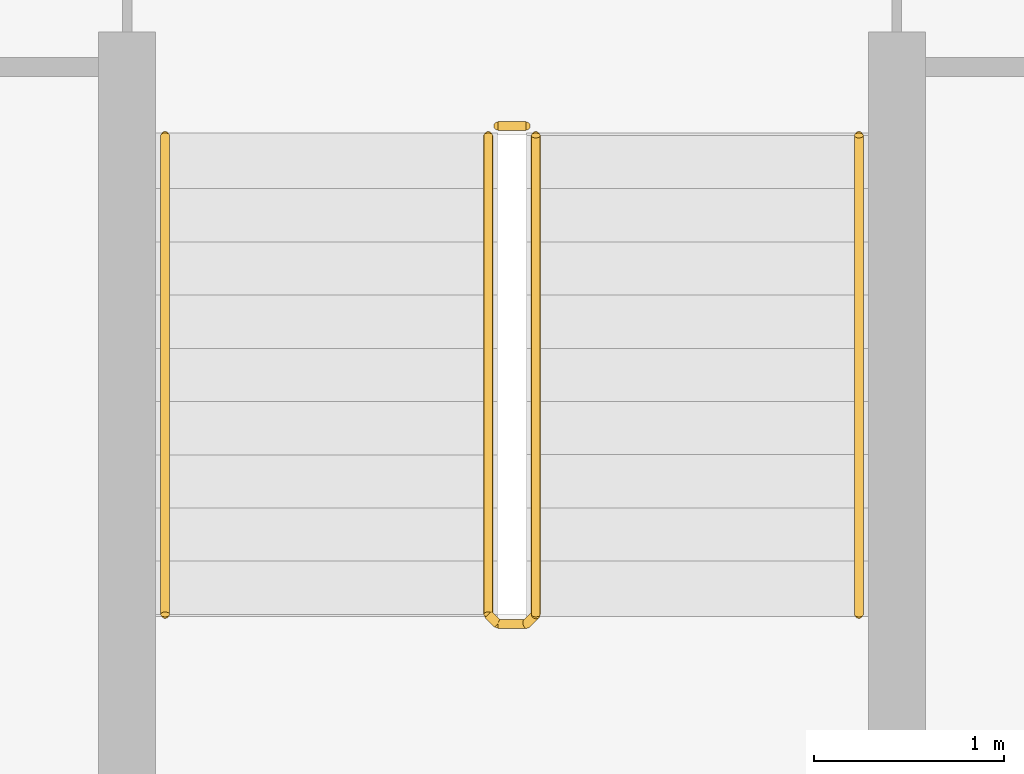
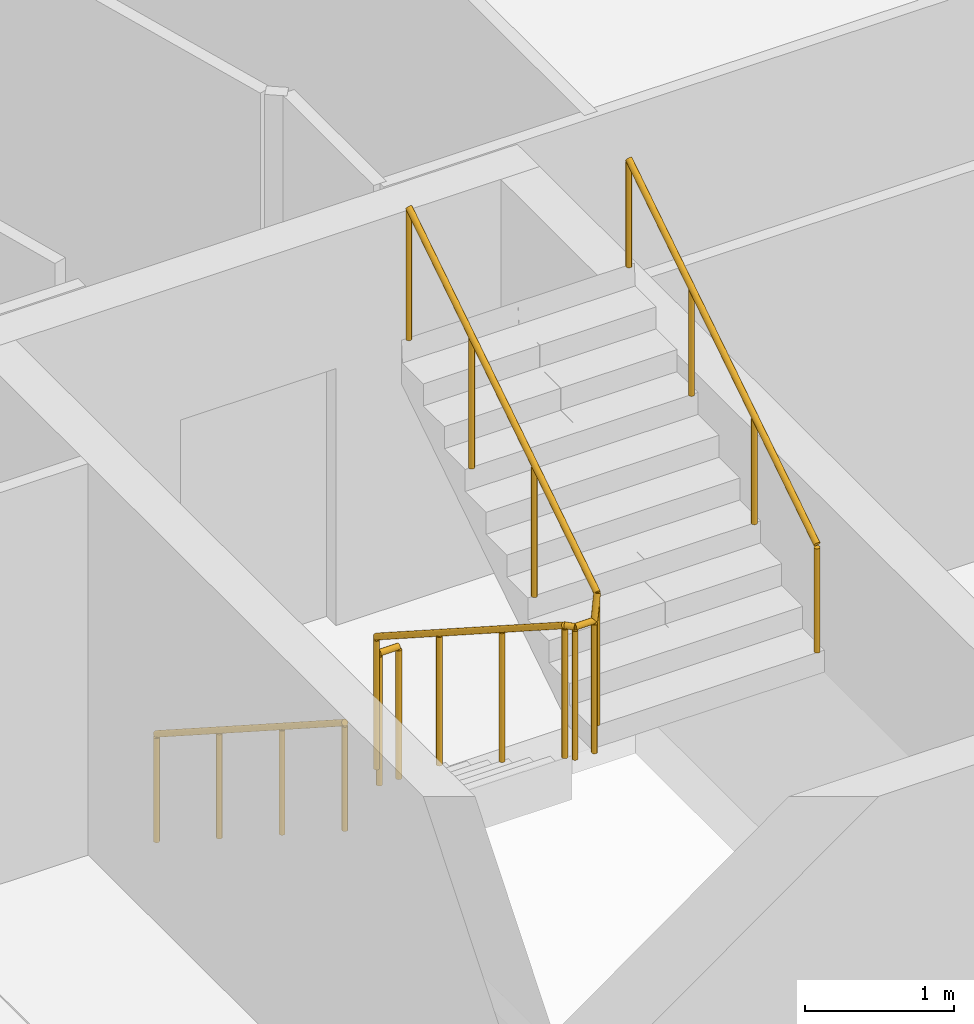
# One storey, part 26 of 28: 4 railings.
"""IFC4 building model written with IfcOpenShell, lengths in metres."""

from ifc_helpers import new_model, si_unit, direction, frame, origin, origin_2d, place, context, subcontext, project, spatial, circle, extrude, material, type_object, element, save


model = new_model("IFC4")

# Units and contexts
model_context = context("Model", 3, precision=1e-05, world=origin(), true_north=direction((0.0, 1.0)))
body_context = subcontext(model_context, "Body", "Model", "MODEL_VIEW")
ifc_project = project(units=[si_unit("LENGTHUNIT", "METRE"), si_unit("AREAUNIT", "SQUARE_METRE"), si_unit("VOLUMEUNIT", "CUBIC_METRE"), si_unit("PLANEANGLEUNIT", "RADIAN"), si_unit("MASSUNIT", "GRAM", prefix="KILO")], contexts=[model_context])

# Site, building, storey
site_placement = place(None, origin())
site = spatial("IfcSite", under=ifc_project, at=site_placement, CompositionType="ELEMENT")
building_placement = place(site_placement, origin())
building = spatial("IfcBuilding", under=site, at=building_placement, Name="Wharfspan Tower", CompositionType="ELEMENT")
storey_placement = place(building_placement, frame((0.0, 0.0, 59.5)))
storey = spatial("IfcBuildingStorey", under=building, at=storey_placement, Name="L11", CompositionType="ELEMENT", Elevation=59.5)

# Railings
ifc_material = material(Name="Steel S355J2", Category="steel")
railing_type_1 = type_object("IfcRailingType", Name="Stair guard 1100", PredefinedType="GUARDRAIL", material=ifc_material)
railing_1_placement = place(storey_placement, frame((39.258301, 3.760498, 0.179932)))
element("IfcRailing", 1, at=railing_1_placement, inside=storey, type_object=railing_type_1, Name="L11 ST4 stair guard 1", PredefinedType="GUARDRAIL", context=body_context, shape_type="SweptSolid", body=[
    extrude(circle(Radius=0.023926, at=origin_2d()), frame((0.0, 0.0, 1.076172), z_axis=(0.0, -0.841139, 0.540819), x_axis=(1.0, 0.0, 0.0)), (0.0, 0.0, 1.0), 2.995605),
    extrude(circle(Radius=0.023926, at=origin_2d()), frame((0.0, -2.519775, 2.696289), z_axis=(0.707107, -0.707107, 0.0), x_axis=(0.707107, 0.707107, 0.0)), (0.0, 0.0, 1.0), 0.070801),
    extrude(circle(Radius=0.023926, at=origin_2d()), frame((0.050049, -2.569824, 2.696289), z_axis=(1.0, 0.0, 0.0), x_axis=(0.0, 1.0, 0.0)), (0.0, 0.0, 1.0), 0.149902),
    extrude(circle(Radius=0.023926, at=origin_2d()), frame((0.199951, -2.569824, 2.696289), z_axis=(0.258848, 0.258848, 0.930589), x_axis=(-0.707107, 0.707107, 0.0)), (0.0, 0.0, 1.0), 0.193359),
    extrude(circle(Radius=0.023926, at=origin_2d()), frame((0.25, -2.519775, 2.875977), z_axis=(0.0, 0.841139, 0.540819), x_axis=(-1.0, 0.0, 0.0)), (0.0, 0.0, 1.0), 2.995605),
    extrude(circle(Radius=0.020996, at=origin_2d()), origin(), (0.0, 0.0, 1.0), 1.052002),
    extrude(circle(Radius=0.020996, at=origin_2d()), frame((0.0, -0.839844, 0.540039)), (0.0, 0.0, 1.0), 1.052002),
    extrude(circle(Radius=0.020996, at=origin_2d()), frame((0.0, -1.679932, 1.080078)), (0.0, 0.0, 1.0), 1.052002),
    extrude(circle(Radius=0.020996, at=origin_2d()), frame((0.0, -2.519775, 1.620117)), (0.0, 0.0, 1.0), 1.052002),
    extrude(circle(Radius=0.020996, at=origin_2d()), frame((0.050049, -2.569824, 1.620117)), (0.0, 0.0, 1.0), 1.052002),
    extrude(circle(Radius=0.020996, at=origin_2d()), frame((0.199951, -2.569824, 1.620117)), (0.0, 0.0, 1.0), 1.052002),
    extrude(circle(Radius=0.020996, at=origin_2d()), frame((0.25, -2.519775, 1.800049)), (0.0, 0.0, 1.0), 1.052002),
    extrude(circle(Radius=0.020996, at=origin_2d()), frame((0.25, -1.679932, 2.340088)), (0.0, 0.0, 1.0), 1.052002),
    extrude(circle(Radius=0.020996, at=origin_2d()), frame((0.25, -0.839844, 2.880127)), (0.0, 0.0, 1.0), 1.052002),
    extrude(circle(Radius=0.020996, at=origin_2d()), frame((0.25, 0.0, 3.420166)), (0.0, 0.0, 1.0), 1.052002),
])
railing_2_placement = place(storey_placement, frame((39.30835, 3.810547, 0.0)))
element("IfcRailing", 2, at=railing_2_placement, inside=storey, type_object=railing_type_1, Name="L11 ST4 stair guard 2", PredefinedType="GUARDRAIL", context=body_context, shape_type="SweptSolid", body=[
    extrude(circle(Radius=0.023926, at=origin_2d()), frame((0.0, 0.0, 1.076172), z_axis=(1.0, 0.0, 0.0), x_axis=(0.0, 1.0, 0.0)), (0.0, 0.0, 1.0), 0.149902),
    extrude(circle(Radius=0.020996, at=origin_2d()), origin(), (0.0, 0.0, 1.0), 1.052002),
    extrude(circle(Radius=0.020996, at=origin_2d()), frame((0.149902, 0.0, 0.0)), (0.0, 0.0, 1.0), 1.052002),
])
railing_type_2 = type_object("IfcRailingType", Name="Stair handrail 900", PredefinedType="HANDRAIL", material=ifc_material)
railing_3_placement = place(storey_placement, frame((37.55835, 3.760498, 0.179932)))
element("IfcRailing", 3, at=railing_3_placement, inside=storey, type_object=railing_type_2, Name="L11 ST4 stair handrail 1", PredefinedType="HANDRAIL", context=body_context, shape_type="SweptSolid", body=[
    extrude(circle(Radius=0.023926, at=origin_2d()), frame((0.0, 0.0, 0.875977), z_axis=(0.0, -0.841139, 0.540819), x_axis=(1.0, 0.0, 0.0)), (0.0, 0.0, 1.0), 2.995605),
    extrude(circle(Radius=0.020996, at=origin_2d()), origin(), (0.0, 0.0, 1.0), 0.851807),
    extrude(circle(Radius=0.020996, at=origin_2d()), frame((0.0, -0.839844, 0.540039)), (0.0, 0.0, 1.0), 0.851807),
    extrude(circle(Radius=0.020996, at=origin_2d()), frame((0.0, -1.679932, 1.080078)), (0.0, 0.0, 1.0), 0.851807),
    extrude(circle(Radius=0.020996, at=origin_2d()), frame((0.0, -2.519775, 1.620117)), (0.0, 0.0, 1.0), 0.851807),
])
railing_4_placement = place(storey_placement, frame((41.208252, 1.240723, 1.97998)))
element("IfcRailing", 4, at=railing_4_placement, inside=storey, type_object=railing_type_2, Name="L11 ST4 stair handrail 2", PredefinedType="HANDRAIL", context=body_context, shape_type="SweptSolid", body=[
    extrude(circle(Radius=0.023926, at=origin_2d()), frame((0.0, 0.0, 0.875977), z_axis=(0.0, 0.841139, 0.540819), x_axis=(-1.0, 0.0, 0.0)), (0.0, 0.0, 1.0), 2.995605),
    extrude(circle(Radius=0.020996, at=origin_2d()), origin(), (0.0, 0.0, 1.0), 0.851807),
    extrude(circle(Radius=0.020996, at=origin_2d()), frame((0.0, 0.839844, 0.540039)), (0.0, 0.0, 1.0), 0.851807),
    extrude(circle(Radius=0.020996, at=origin_2d()), frame((0.0, 1.679932, 1.080078)), (0.0, 0.0, 1.0), 0.851807),
    extrude(circle(Radius=0.020996, at=origin_2d()), frame((0.0, 2.519775, 1.620117)), (0.0, 0.0, 1.0), 0.851807),
])

save(model, "model.ifc")
